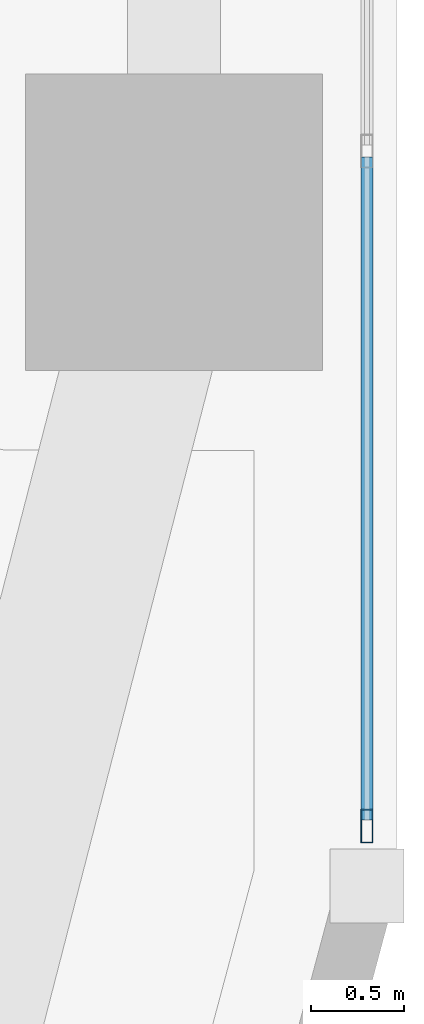
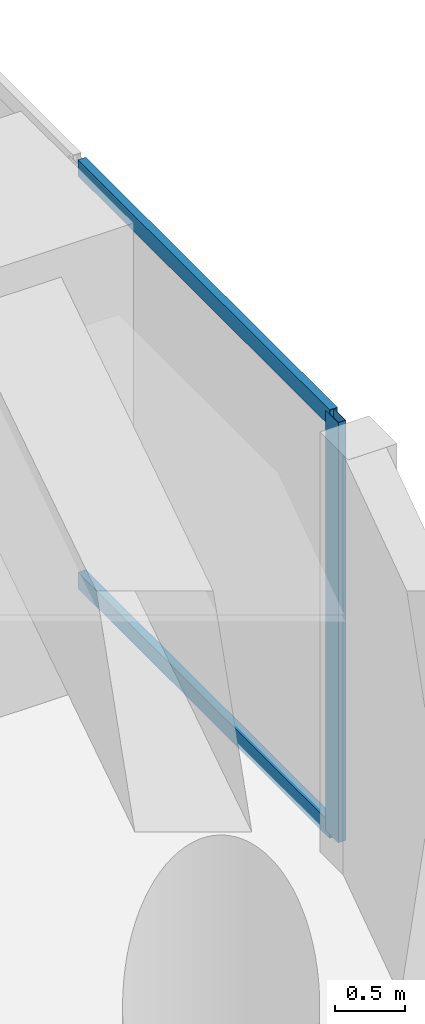
# One storey, part 4 of 28: 3 members, 1 element without a shape of its own.
"""IFC4 building model written with IfcOpenShell, lengths in metres."""

from ifc_helpers import new_model, si_unit, direction, frame, origin, origin_2d, place, context, subcontext, project, spatial, hollow_rectangle, extrude, material, layer, layer_set, material_profile, profile_set, type_object, element, aggregate, save


model = new_model("IFC4")

# Units and contexts
model_context = context("Model", 3, precision=1e-05, world=origin(), true_north=direction((0.0, 1.0)))
body_context = subcontext(model_context, "Body", "Model", "MODEL_VIEW")
ifc_project = project(units=[si_unit("LENGTHUNIT", "METRE"), si_unit("AREAUNIT", "SQUARE_METRE"), si_unit("VOLUMEUNIT", "CUBIC_METRE"), si_unit("PLANEANGLEUNIT", "RADIAN"), si_unit("MASSUNIT", "GRAM", prefix="KILO")], contexts=[model_context])

# Site, building, storey
site_placement = place(None, origin())
site = spatial("IfcSite", under=ifc_project, at=site_placement, CompositionType="ELEMENT")
building_placement = place(site_placement, origin())
building = spatial("IfcBuilding", under=site, at=building_placement, Name="Kiyonajd Concourse Tower", CompositionType="ELEMENT")
storey_placement = place(building_placement, frame((0.0, 0.0, 33.300048828125)))
storey = spatial("IfcBuildingStorey", under=building, at=storey_placement, Name="L09", CompositionType="ELEMENT", Elevation=33.300048828125)

# Curtain wall, members
ifc_material = material(Name="Thermally Broken Anodised Aluminium", Category="aluminium")
ifc_layer = layer(ifc_material, 0.179931640625)
ifc_layer_set = layer_set([ifc_layer], Name="Thermally Broken Anodised Aluminium")
curtain_wall_type = type_object("IfcCurtainWallType", Name="CW-SYS-02", PredefinedType="NOTDEFINED", material=ifc_layer_set)
curtain_wall_placement = place(storey_placement, origin())
curtain_wall = element("IfcCurtainWall", 1, at=curtain_wall_placement, inside=storey, type_object=curtain_wall_type, Name="L09 Unitised Curtain Wall CW2", PredefinedType="NOTDEFINED")
ifc_material_profile_1 = material_profile(ifc_material, hollow_rectangle(XDim=0.06494140625, YDim=0.179931640625, WallThickness=0.00390625, at=origin_2d()), Name="MULL-65x180")
ifc_profile_set_1 = profile_set([ifc_material_profile_1], Name="Thermally Broken Anodised Aluminium")
member_type_1 = type_object("IfcMemberType", Name="MB-CW-MULL1", PredefinedType="MULLION", material=ifc_profile_set_1)
member_1_placement = place(storey_placement, frame((79.0400390625, 15.343505859375, 0.0), z_axis=(0.0, 0.0, 1.0), x_axis=(1.0, 0.0, 0.0)))
member_1 = element("IfcMember", 2, at=member_1_placement, type_object=member_type_1, Name="CW2 mullion 7", PredefinedType="MULLION", context=body_context, shape_type="SweptSolid", body=[
    extrude(hollow_rectangle(XDim=0.06494140625, YDim=0.179931640625, WallThickness=0.00390625, at=origin_2d()), origin(), (0.0, 0.0, 1.0), 3.639892578125),
])
ifc_material_profile_2 = material_profile(ifc_material, hollow_rectangle(XDim=0.06494140625, YDim=0.139892578125, WallThickness=0.00390625, at=origin_2d()), Name="TRAN-65x140")
ifc_profile_set_2 = profile_set([ifc_material_profile_2], Name="Thermally Broken Anodised Aluminium")
member_type_2 = type_object("IfcMemberType", Name="MB-CW-TRAN1", PredefinedType="USERDEFINED", material=ifc_profile_set_2)
member_2_placement = place(storey_placement, frame((79.0400390625, 18.95166015625, 0.032470703125), z_axis=(0.0, -1.0, 0.0), x_axis=(1.0, 0.0, 0.0)))
member_2 = element("IfcMember", 3, at=member_2_placement, type_object=member_type_2, Name="CW2 transom 6.1", ObjectType="TRANSOM", PredefinedType="USERDEFINED", context=body_context, shape_type="SweptSolid", body=[
    extrude(hollow_rectangle(XDim=0.06494140625, YDim=0.139892578125, WallThickness=0.00390625, at=origin_2d()), origin(), (0.0, 0.0, 1.0), 3.575439453125),
])
member_3_placement = place(storey_placement, frame((79.0400390625, 18.95166015625, 3.607421875), z_axis=(0.0, -1.0, 0.0), x_axis=(1.0, 0.0, 0.0)))
member_3 = element("IfcMember", 4, at=member_3_placement, type_object=member_type_2, Name="CW2 transom 6.2", ObjectType="TRANSOM", PredefinedType="USERDEFINED", context=body_context, shape_type="SweptSolid", body=[
    extrude(hollow_rectangle(XDim=0.06494140625, YDim=0.139892578125, WallThickness=0.00390625, at=origin_2d()), origin(), (0.0, 0.0, 1.0), 3.575439453125),
])
aggregate(curtain_wall, [member_1, member_2, member_3])

save(model, "model.ifc")
